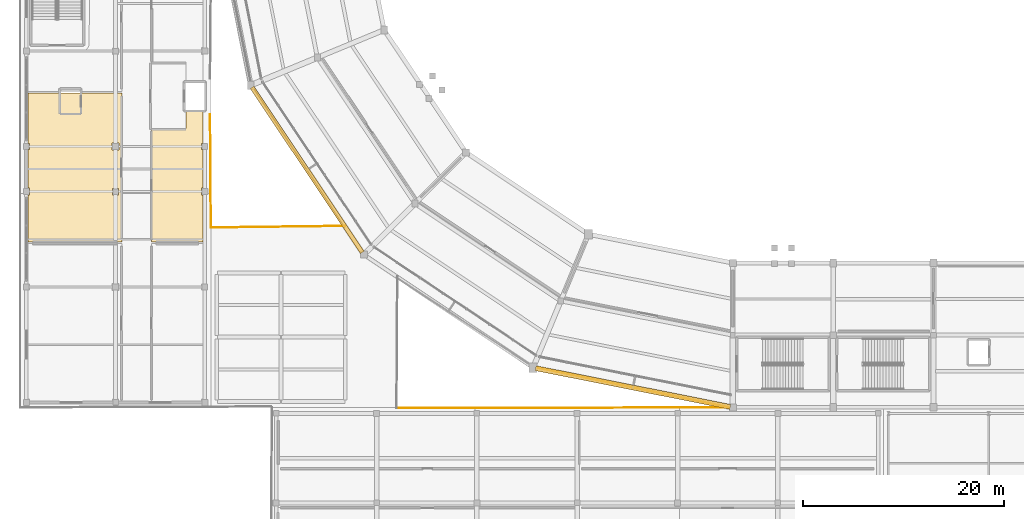
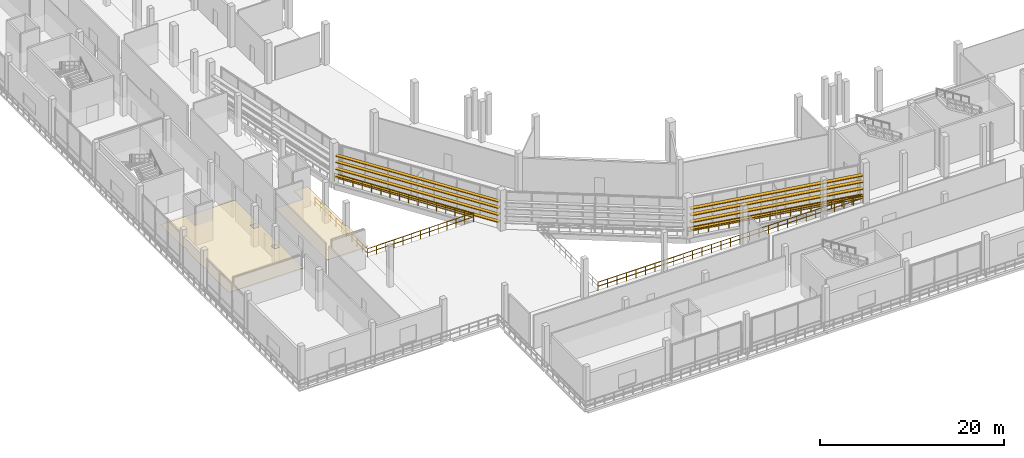
# One storey, part 89 of 111: 8 shading devices, 5 railings, 2 coverings.
"""IFC4 building model written with IfcOpenShell, lengths in metres."""

from ifc_helpers import new_model, si_unit, direction, frame, origin, origin_2d, place, context, subcontext, project, spatial, polyline, rectangle, circle, outline, extrude, material, layer, layer_set, type_object, element, save


model = new_model("IFC4")

# Units and contexts
model_context = context("Model", 3, precision=1e-05, world=origin(), true_north=direction((0.0, 1.0)))
body_context = subcontext(model_context, "Body", "Model", "MODEL_VIEW")
ifc_project = project(units=[si_unit("LENGTHUNIT", "METRE"), si_unit("AREAUNIT", "SQUARE_METRE"), si_unit("VOLUMEUNIT", "CUBIC_METRE"), si_unit("PLANEANGLEUNIT", "RADIAN"), si_unit("MASSUNIT", "GRAM", prefix="KILO")], contexts=[model_context])

# Site, building, storey
site_placement = place(None, origin())
site = spatial("IfcSite", under=ifc_project, at=site_placement, CompositionType="ELEMENT")
building_placement = place(site_placement, origin())
building = spatial("IfcBuilding", under=site, at=building_placement, Name="Candeia Ridge Stadium", CompositionType="ELEMENT")
storey_placement = place(building_placement, frame((0.0, 0.0, 16.199951171875)))
storey = spatial("IfcBuildingStorey", under=building, at=storey_placement, Name="L03", CompositionType="ELEMENT", Elevation=16.199951171875)

# Coverings
ifc_material_1 = material(Name="Western Red Cedar Acoustic Slat", Category="wood")
ifc_layer_1 = layer(ifc_material_1, 0.044921875, Name="Western Red Cedar Acoustic Slat", Category="wood")
ifc_layer_set_1 = layer_set([ifc_layer_1], Name="Western Red Cedar Acoustic Slat")
covering_type = type_object("IfcCoveringType", Name="Slatted Cedar Acoustic Ceiling 45", PredefinedType="CEILING", material=ifc_layer_set_1)
covering_1_placement = place(storey_placement, frame((0.0, 0.0, 2.510009765625)))
element("IfcCovering", 1, at=covering_1_placement, inside=storey, type_object=covering_type, Name="Acoustic ceiling Executive Skybox Suite W02", PredefinedType="CEILING", context=body_context, shape_type="SweptSolid", body=[
    extrude(outline(polyline([(0.794189453125, 35.470703125), (0.791259765625, 35.47119140625), (0.78857421875, 35.472412109375), (0.785888671875, 35.473388671875), (0.783203125, 35.47509765625), (0.781005859375, 35.476806640625), (0.77880859375, 35.478759765625), (0.77685546875, 35.48095703125), (0.775146484375, 35.4833984375), (0.7734375, 35.48583984375), (0.772216796875, 35.488525390625), (0.771240234375, 35.4912109375), (0.7705078125, 35.494140625), (0.77001953125, 35.4970703125), (0.77001953125, 35.5), (0.77001953125, 40.159912109375), (0.93994140625, 40.159912109375), (0.93994140625, 40.840087890625), (0.77001953125, 40.840087890625), (0.77001953125, 44.68505859375), (0.9150390625, 44.68505859375), (0.9150390625, 45.31494140625), (0.77001953125, 45.31494140625), (0.77001953125, 50.300048828125), (0.77001953125, 50.302978515625), (0.7705078125, 50.305908203125), (0.771240234375, 50.30859375), (0.772216796875, 50.3115234375), (0.7734375, 50.314208984375), (0.775146484375, 50.316650390625), (0.77685546875, 50.319091796875), (0.77880859375, 50.3212890625), (0.781005859375, 50.3232421875), (0.783203125, 50.324951171875), (0.785888671875, 50.326416015625), (0.78857421875, 50.32763671875), (0.791259765625, 50.32861328125), (0.794189453125, 50.329345703125), (0.797119140625, 50.329833984375), (0.800048828125, 50.330078125), (10.10009765625, 50.330078125), (10.102783203125, 50.329833984375), (10.10595703125, 50.329345703125), (10.108642578125, 50.32861328125), (10.111572265625, 50.32763671875), (10.114013671875, 50.326416015625), (10.11669921875, 50.324951171875), (10.118896484375, 50.3232421875), (10.12109375, 50.3212890625), (10.123291015625, 50.319091796875), (10.125, 50.316650390625), (10.12646484375, 50.314208984375), (10.127685546875, 50.3115234375), (10.128662109375, 50.30859375), (10.12939453125, 50.305908203125), (10.1298828125, 50.302978515625), (10.1298828125, 50.300048828125), (10.1298828125, 35.5), (10.1298828125, 35.4970703125), (10.12939453125, 35.494140625), (10.128662109375, 35.4912109375), (10.127685546875, 35.488525390625), (10.12646484375, 35.48583984375), (10.125, 35.4833984375), (10.123291015625, 35.48095703125), (10.12109375, 35.478759765625), (10.118896484375, 35.476806640625), (10.11669921875, 35.47509765625), (10.114013671875, 35.473388671875), (10.111572265625, 35.472412109375), (10.108642578125, 35.47119140625), (10.10595703125, 35.470703125), (10.102783203125, 35.47021484375), (10.10009765625, 35.469970703125), (0.800048828125, 35.469970703125), (0.797119140625, 35.47021484375), (0.794189453125, 35.470703125)]), holes=[polyline([(9.18505859375, 40.18505859375), (9.81494140625, 40.18505859375), (9.81494140625, 40.81494140625), (9.18505859375, 40.81494140625), (9.18505859375, 40.18505859375)]), polyline([(9.159912109375, 45.340087890625), (9.159912109375, 44.659912109375), (9.840087890625, 44.659912109375), (9.840087890625, 45.340087890625), (9.159912109375, 45.340087890625)])]), origin(), (0.0, 0.0, 1.0), 0.0400390625),
])
covering_2_placement = place(storey_placement, frame((0.0, 0.0, 2.510009765625)))
element("IfcCovering", 2, at=covering_2_placement, inside=storey, type_object=covering_type, Name="Acoustic ceiling Executive Skybox Suite W02 Pitchside Suite", PredefinedType="CEILING", context=body_context, shape_type="SweptSolid", body=[
    extrude(outline(polyline([(18.2294921875, 35.494140625), (18.228759765625, 35.4912109375), (18.227783203125, 35.488525390625), (18.2265625, 35.48583984375), (18.224853515625, 35.4833984375), (18.22314453125, 35.48095703125), (18.22119140625, 35.478759765625), (18.218994140625, 35.476806640625), (18.216796875, 35.47509765625), (18.214111328125, 35.473388671875), (18.21142578125, 35.472412109375), (18.208740234375, 35.47119140625), (18.205810546875, 35.470703125), (18.202880859375, 35.47021484375), (18.199951171875, 35.469970703125), (13.10009765625, 35.469970703125), (13.09716796875, 35.47021484375), (13.093994140625, 35.470703125), (13.09130859375, 35.47119140625), (13.08837890625, 35.472412109375), (13.0859375, 35.473388671875), (13.083251953125, 35.47509765625), (13.0810546875, 35.476806640625), (13.078857421875, 35.478759765625), (13.076904296875, 35.48095703125), (13.0751953125, 35.4833984375), (13.073486328125, 35.48583984375), (13.072265625, 35.488525390625), (13.0712890625, 35.4912109375), (13.070556640625, 35.494140625), (13.070068359375, 35.4970703125), (13.070068359375, 35.5), (13.070068359375, 46.760009765625), (13.070068359375, 46.762939453125), (13.070556640625, 46.765869140625), (13.0712890625, 46.768798828125), (13.072265625, 46.771484375), (13.073486328125, 46.774169921875), (13.0751953125, 46.776611328125), (13.076904296875, 46.779052734375), (13.078857421875, 46.78125), (13.0810546875, 46.783203125), (13.083251953125, 46.784912109375), (13.0859375, 46.78662109375), (13.08837890625, 46.78759765625), (13.09130859375, 46.788818359375), (13.093994140625, 46.789306640625), (13.09716796875, 46.789794921875), (13.10009765625, 46.7900390625), (16.499267578125, 46.7900390625), (16.500732421875, 46.7900390625), (16.502197265625, 46.790283203125), (16.503173828125, 46.79052734375), (16.50390625, 46.790771484375), (16.504638671875, 46.791259765625), (16.50537109375, 46.79150390625), (16.50634765625, 46.792236328125), (16.507080078125, 46.79296875), (16.5078125, 46.793701171875), (16.50830078125, 46.794677734375), (16.5087890625, 46.79541015625), (16.50927734375, 46.796142578125), (16.509521484375, 46.796875), (16.509765625, 46.7978515625), (16.510009765625, 46.79931640625), (16.510009765625, 46.80078125), (16.510009765625, 48.610107421875), (16.510009765625, 48.61279296875), (16.510498046875, 48.615966796875), (16.51123046875, 48.61865234375), (16.51220703125, 48.62158203125), (16.513427734375, 48.6240234375), (16.51513671875, 48.626708984375), (16.516845703125, 48.62890625), (16.518798828125, 48.631103515625), (16.52099609375, 48.63330078125), (16.523193359375, 48.635009765625), (16.52587890625, 48.636474609375), (16.528564453125, 48.6376953125), (16.53125, 48.638671875), (16.5341796875, 48.639404296875), (16.537109375, 48.639892578125), (16.5400390625, 48.639892578125), (18.199951171875, 48.639892578125), (18.202880859375, 48.639892578125), (18.205810546875, 48.639404296875), (18.208740234375, 48.638671875), (18.21142578125, 48.6376953125), (18.214111328125, 48.636474609375), (18.216796875, 48.635009765625), (18.218994140625, 48.63330078125), (18.22119140625, 48.631103515625), (18.22314453125, 48.62890625), (18.224853515625, 48.626708984375), (18.2265625, 48.6240234375), (18.227783203125, 48.62158203125), (18.228759765625, 48.61865234375), (18.2294921875, 48.615966796875), (18.22998046875, 48.61279296875), (18.22998046875, 48.610107421875), (18.22998046875, 45.31494140625), (18.0849609375, 45.31494140625), (18.0849609375, 44.68505859375), (18.22998046875, 44.68505859375), (18.22998046875, 40.840087890625), (18.06005859375, 40.840087890625), (18.06005859375, 40.159912109375), (18.22998046875, 40.159912109375), (18.22998046875, 35.5), (18.22998046875, 35.4970703125), (18.2294921875, 35.494140625)])), origin(), (0.0, 0.0, 1.0), 0.0400390625),
])

# Railings
ifc_material_2 = material(Name="Galvanized Powder-Coated Steel", Category="steel")
ifc_layer_2 = layer(ifc_material_2, 0.074951171875, Name="Galvanized Powder-Coated Steel", Category="steel")
ifc_layer_set_2 = layer_set([ifc_layer_2], Name="Galvanized Powder-Coated Steel")
railing_type = type_object("IfcRailingType", Name="Spectator Bowl Front Guardrail 1120", PredefinedType="GUARDRAIL", material=ifc_layer_set_2)
railing_1_placement = place(storey_placement, frame((37.5, 18.919921875, 0.0)))
element("IfcRailing", 3, at=railing_1_placement, inside=storey, type_object=railing_type, Name="Deck edge safety guardrail GR-DE-L03-0171", PredefinedType="GUARDRAIL", context=body_context, shape_type="SweptSolid", body=[
    extrude(circle(Radius=0.02392578125, at=origin_2d()), frame((0.0, 0.0, 1.09619140625), z_axis=(0.999997640457, 0.002172344388, 0.0), x_axis=(-0.002172344388, 0.999997640457, 0.0)), (0.0, 0.0, 1.0), 33.26611328125),
    extrude(circle(Radius=0.02392578125, at=origin_2d()), frame((0.0, 0.0, 0.56005859375), z_axis=(0.999997640457, 0.002172344388, 0.0), x_axis=(-0.002172344388, 0.999997640457, 0.0)), (0.0, 0.0, 1.0), 33.26611328125),
    extrude(circle(Radius=0.02099609375, at=origin_2d()), origin(), (0.0, 0.0, 1.0), 1.072021484375),
    extrude(circle(Radius=0.02099609375, at=origin_2d()), frame((1.18798828125, 0.002685546875, 0.0)), (0.0, 0.0, 1.0), 1.072021484375),
    extrude(circle(Radius=0.02099609375, at=origin_2d()), frame((2.376220703125, 0.005126953125, 0.0)), (0.0, 0.0, 1.0), 1.072021484375),
    extrude(circle(Radius=0.02099609375, at=origin_2d()), frame((3.564208984375, 0.0078125, 0.0)), (0.0, 0.0, 1.0), 1.072021484375),
    extrude(circle(Radius=0.02099609375, at=origin_2d()), frame((4.752197265625, 0.01025390625, 0.0)), (0.0, 0.0, 1.0), 1.072021484375),
    extrude(circle(Radius=0.02099609375, at=origin_2d()), frame((5.9404296875, 0.012939453125, 0.0)), (0.0, 0.0, 1.0), 1.072021484375),
    extrude(circle(Radius=0.02099609375, at=origin_2d()), frame((7.12841796875, 0.015380859375, 0.0)), (0.0, 0.0, 1.0), 1.072021484375),
    extrude(circle(Radius=0.02099609375, at=origin_2d()), frame((8.31640625, 0.01806640625, 0.0)), (0.0, 0.0, 1.0), 1.072021484375),
    extrude(circle(Radius=0.02099609375, at=origin_2d()), frame((9.504638671875, 0.020751953125, 0.0)), (0.0, 0.0, 1.0), 1.072021484375),
    extrude(circle(Radius=0.02099609375, at=origin_2d()), frame((10.692626953125, 0.023193359375, 0.0)), (0.0, 0.0, 1.0), 1.072021484375),
    extrude(circle(Radius=0.02099609375, at=origin_2d()), frame((11.880859375, 0.02587890625, 0.0)), (0.0, 0.0, 1.0), 1.072021484375),
    extrude(circle(Radius=0.02099609375, at=origin_2d()), frame((13.06884765625, 0.0283203125, 0.0)), (0.0, 0.0, 1.0), 1.072021484375),
    extrude(circle(Radius=0.02099609375, at=origin_2d()), frame((14.2568359375, 0.031005859375, 0.0)), (0.0, 0.0, 1.0), 1.072021484375),
    extrude(circle(Radius=0.02099609375, at=origin_2d()), frame((15.445068359375, 0.033447265625, 0.0)), (0.0, 0.0, 1.0), 1.072021484375),
    extrude(circle(Radius=0.02099609375, at=origin_2d()), frame((16.633056640625, 0.0361328125, 0.0)), (0.0, 0.0, 1.0), 1.072021484375),
    extrude(circle(Radius=0.02099609375, at=origin_2d()), frame((17.821044921875, 0.038818359375, 0.0)), (0.0, 0.0, 1.0), 1.072021484375),
    extrude(circle(Radius=0.02099609375, at=origin_2d()), frame((19.00927734375, 0.041259765625, 0.0)), (0.0, 0.0, 1.0), 1.072021484375),
    extrude(circle(Radius=0.02099609375, at=origin_2d()), frame((20.197265625, 0.0439453125, 0.0)), (0.0, 0.0, 1.0), 1.072021484375),
    extrude(circle(Radius=0.02099609375, at=origin_2d()), frame((21.38525390625, 0.04638671875, 0.0)), (0.0, 0.0, 1.0), 1.072021484375),
    extrude(circle(Radius=0.02099609375, at=origin_2d()), frame((22.573486328125, 0.049072265625, 0.0)), (0.0, 0.0, 1.0), 1.072021484375),
    extrude(circle(Radius=0.02099609375, at=origin_2d()), frame((23.761474609375, 0.051513671875, 0.0)), (0.0, 0.0, 1.0), 1.072021484375),
    extrude(circle(Radius=0.02099609375, at=origin_2d()), frame((24.94970703125, 0.05419921875, 0.0)), (0.0, 0.0, 1.0), 1.072021484375),
    extrude(circle(Radius=0.02099609375, at=origin_2d()), frame((26.1376953125, 0.056884765625, 0.0)), (0.0, 0.0, 1.0), 1.072021484375),
    extrude(circle(Radius=0.02099609375, at=origin_2d()), frame((27.32568359375, 0.059326171875, 0.0)), (0.0, 0.0, 1.0), 1.072021484375),
    extrude(circle(Radius=0.02099609375, at=origin_2d()), frame((28.513916015625, 0.06201171875, 0.0)), (0.0, 0.0, 1.0), 1.072021484375),
    extrude(circle(Radius=0.02099609375, at=origin_2d()), frame((29.701904296875, 0.064453125, 0.0)), (0.0, 0.0, 1.0), 1.072021484375),
    extrude(circle(Radius=0.02099609375, at=origin_2d()), frame((30.889892578125, 0.067138671875, 0.0)), (0.0, 0.0, 1.0), 1.072021484375),
    extrude(circle(Radius=0.02099609375, at=origin_2d()), frame((32.078125, 0.069580078125, 0.0)), (0.0, 0.0, 1.0), 1.072021484375),
    extrude(circle(Radius=0.02099609375, at=origin_2d()), frame((33.26611328125, 0.072265625, 0.0)), (0.0, 0.0, 1.0), 1.072021484375),
])
railing_2_placement = place(storey_placement, frame((70.6767578125, 18.982666015625, 0.0)))
element("IfcRailing", 4, at=railing_2_placement, inside=storey, type_object=railing_type, Name="Deck edge safety guardrail GR-DE-L03-0172", PredefinedType="GUARDRAIL", context=body_context, shape_type="SweptSolid", body=[
    extrude(circle(Radius=0.02392578125, at=origin_2d()), frame((0.0, 0.0, 1.09619140625), z_axis=(-0.97924861021, 0.202662673924, 0.0), x_axis=(-0.202662673924, -0.97924861021, 0.0)), (0.0, 0.0, 1.0), 19.945556640625),
    extrude(circle(Radius=0.02392578125, at=origin_2d()), frame((0.0, 0.0, 0.56005859375), z_axis=(-0.97924861021, 0.202662673924, 0.0), x_axis=(-0.202662673924, -0.97924861021, 0.0)), (0.0, 0.0, 1.0), 19.945556640625),
    extrude(circle(Radius=0.02099609375, at=origin_2d()), origin(), (0.0, 0.0, 1.0), 1.072021484375),
    extrude(circle(Radius=0.02099609375, at=origin_2d()), frame((-1.14892578125, 0.23779296875, 0.0)), (0.0, 0.0, 1.0), 1.072021484375),
    extrude(circle(Radius=0.02099609375, at=origin_2d()), frame((-2.2978515625, 0.4755859375, 0.0)), (0.0, 0.0, 1.0), 1.072021484375),
    extrude(circle(Radius=0.02099609375, at=origin_2d()), frame((-3.44677734375, 0.71337890625, 0.0)), (0.0, 0.0, 1.0), 1.072021484375),
    extrude(circle(Radius=0.02099609375, at=origin_2d()), frame((-4.595703125, 0.951171875, 0.0)), (0.0, 0.0, 1.0), 1.072021484375),
    extrude(circle(Radius=0.02099609375, at=origin_2d()), frame((-5.74462890625, 1.18896484375, 0.0)), (0.0, 0.0, 1.0), 1.072021484375),
    extrude(circle(Radius=0.02099609375, at=origin_2d()), frame((-6.8935546875, 1.4267578125, 0.0)), (0.0, 0.0, 1.0), 1.072021484375),
    extrude(circle(Radius=0.02099609375, at=origin_2d()), frame((-8.04248046875, 1.66455078125, 0.0)), (0.0, 0.0, 1.0), 1.072021484375),
    extrude(circle(Radius=0.02099609375, at=origin_2d()), frame((-9.19140625, 1.90234375, 0.0)), (0.0, 0.0, 1.0), 1.072021484375),
    extrude(circle(Radius=0.02099609375, at=origin_2d()), frame((-10.34033203125, 2.139892578125, 0.0)), (0.0, 0.0, 1.0), 1.072021484375),
    extrude(circle(Radius=0.02099609375, at=origin_2d()), frame((-11.4892578125, 2.377685546875, 0.0)), (0.0, 0.0, 1.0), 1.072021484375),
    extrude(circle(Radius=0.02099609375, at=origin_2d()), frame((-12.63818359375, 2.615478515625, 0.0)), (0.0, 0.0, 1.0), 1.072021484375),
    extrude(circle(Radius=0.02099609375, at=origin_2d()), frame((-13.787109375, 2.853271484375, 0.0)), (0.0, 0.0, 1.0), 1.072021484375),
    extrude(circle(Radius=0.02099609375, at=origin_2d()), frame((-14.93603515625, 3.091064453125, 0.0)), (0.0, 0.0, 1.0), 1.072021484375),
    extrude(circle(Radius=0.02099609375, at=origin_2d()), frame((-16.0849609375, 3.328857421875, 0.0)), (0.0, 0.0, 1.0), 1.072021484375),
    extrude(circle(Radius=0.02099609375, at=origin_2d()), frame((-17.23388671875, 3.566650390625, 0.0)), (0.0, 0.0, 1.0), 1.072021484375),
    extrude(circle(Radius=0.02099609375, at=origin_2d()), frame((-18.3828125, 3.804443359375, 0.0)), (0.0, 0.0, 1.0), 1.072021484375),
    extrude(circle(Radius=0.02099609375, at=origin_2d()), frame((-19.53173828125, 4.042236328125, 0.0)), (0.0, 0.0, 1.0), 1.072021484375),
])
railing_3_placement = place(storey_placement, frame((32.313232421875, 36.95556640625, 0.0)))
element("IfcRailing", 5, at=railing_3_placement, inside=storey, type_object=railing_type, Name="Deck edge safety guardrail GR-DE-L03-0182", PredefinedType="GUARDRAIL", context=body_context, shape_type="SweptSolid", body=[
    extrude(circle(Radius=0.02392578125, at=origin_2d()), frame((0.0, 0.0, 1.09619140625), z_axis=(-0.547972672169, 0.836496234634, 0.0), x_axis=(-0.836496234634, -0.547972672169, 0.0)), (0.0, 0.0, 1.0), 16.928466796875),
    extrude(circle(Radius=0.02392578125, at=origin_2d()), frame((0.0, 0.0, 0.56005859375), z_axis=(-0.547972672169, 0.836496234634, 0.0), x_axis=(-0.836496234634, -0.547972672169, 0.0)), (0.0, 0.0, 1.0), 16.928466796875),
    extrude(circle(Radius=0.02099609375, at=origin_2d()), origin(), (0.0, 0.0, 1.0), 1.072021484375),
    extrude(circle(Radius=0.02099609375, at=origin_2d()), frame((-0.618408203125, 0.944091796875, 0.0)), (0.0, 0.0, 1.0), 1.072021484375),
    extrude(circle(Radius=0.02099609375, at=origin_2d()), frame((-1.23681640625, 1.88818359375, 0.0)), (0.0, 0.0, 1.0), 1.072021484375),
    extrude(circle(Radius=0.02099609375, at=origin_2d()), frame((-1.855224609375, 2.83203125, 0.0)), (0.0, 0.0, 1.0), 1.072021484375),
    extrude(circle(Radius=0.02099609375, at=origin_2d()), frame((-2.4736328125, 3.776123046875, 0.0)), (0.0, 0.0, 1.0), 1.072021484375),
    extrude(circle(Radius=0.02099609375, at=origin_2d()), frame((-3.092041015625, 4.72021484375, 0.0)), (0.0, 0.0, 1.0), 1.072021484375),
    extrude(circle(Radius=0.02099609375, at=origin_2d()), frame((-3.71044921875, 5.664306640625, 0.0)), (0.0, 0.0, 1.0), 1.072021484375),
    extrude(circle(Radius=0.02099609375, at=origin_2d()), frame((-4.328857421875, 6.6083984375, 0.0)), (0.0, 0.0, 1.0), 1.072021484375),
    extrude(circle(Radius=0.02099609375, at=origin_2d()), frame((-4.947509765625, 7.55224609375, 0.0)), (0.0, 0.0, 1.0), 1.072021484375),
    extrude(circle(Radius=0.02099609375, at=origin_2d()), frame((-5.56591796875, 8.496337890625, 0.0)), (0.0, 0.0, 1.0), 1.072021484375),
    extrude(circle(Radius=0.02099609375, at=origin_2d()), frame((-6.184326171875, 9.4404296875, 0.0)), (0.0, 0.0, 1.0), 1.072021484375),
    extrude(circle(Radius=0.02099609375, at=origin_2d()), frame((-6.802734375, 10.384521484375, 0.0)), (0.0, 0.0, 1.0), 1.072021484375),
    extrude(circle(Radius=0.02099609375, at=origin_2d()), frame((-7.421142578125, 11.32861328125, 0.0)), (0.0, 0.0, 1.0), 1.072021484375),
    extrude(circle(Radius=0.02099609375, at=origin_2d()), frame((-8.03955078125, 12.2724609375, 0.0)), (0.0, 0.0, 1.0), 1.072021484375),
    extrude(circle(Radius=0.02099609375, at=origin_2d()), frame((-8.657958984375, 13.216552734375, 0.0)), (0.0, 0.0, 1.0), 1.072021484375),
    extrude(circle(Radius=0.02099609375, at=origin_2d()), frame((-9.2763671875, 14.16064453125, 0.0)), (0.0, 0.0, 1.0), 1.072021484375),
])
railing_4_placement = place(storey_placement, frame((18.919921875, 48.215087890625, 0.0)))
element("IfcRailing", 6, at=railing_4_placement, inside=storey, type_object=railing_type, Name="Deck edge safety guardrail GR-DE-L03-0185", PredefinedType="GUARDRAIL", context=body_context, shape_type="SweptSolid", body=[
    extrude(circle(Radius=0.02392578125, at=origin_2d()), frame((0.0, 0.0, 1.09619140625), z_axis=(0.007089414402, -0.999974869786, 0.0), x_axis=(0.999974869786, 0.007089414402, 0.0)), (0.0, 0.0, 1.0), 11.29541015625),
    extrude(circle(Radius=0.02392578125, at=origin_2d()), frame((0.0, 0.0, 0.56005859375), z_axis=(0.007089414402, -0.999974869786, 0.0), x_axis=(0.999974869786, 0.007089414402, 0.0)), (0.0, 0.0, 1.0), 11.29541015625),
    extrude(circle(Radius=0.02099609375, at=origin_2d()), origin(), (0.0, 0.0, 1.0), 1.072021484375),
    extrude(circle(Radius=0.02099609375, at=origin_2d()), frame((0.008056640625, -1.12939453125, 0.0)), (0.0, 0.0, 1.0), 1.072021484375),
    extrude(circle(Radius=0.02099609375, at=origin_2d()), frame((0.01611328125, -2.259033203125, 0.0)), (0.0, 0.0, 1.0), 1.072021484375),
    extrude(circle(Radius=0.02099609375, at=origin_2d()), frame((0.02392578125, -3.388671875, 0.0)), (0.0, 0.0, 1.0), 1.072021484375),
    extrude(circle(Radius=0.02099609375, at=origin_2d()), frame((0.031982421875, -4.51806640625, 0.0)), (0.0, 0.0, 1.0), 1.072021484375),
    extrude(circle(Radius=0.02099609375, at=origin_2d()), frame((0.0400390625, -5.6474609375, 0.0)), (0.0, 0.0, 1.0), 1.072021484375),
    extrude(circle(Radius=0.02099609375, at=origin_2d()), frame((0.048095703125, -6.777099609375, 0.0)), (0.0, 0.0, 1.0), 1.072021484375),
    extrude(circle(Radius=0.02099609375, at=origin_2d()), frame((0.05615234375, -7.906494140625, 0.0)), (0.0, 0.0, 1.0), 1.072021484375),
    extrude(circle(Radius=0.02099609375, at=origin_2d()), frame((0.06396484375, -9.0361328125, 0.0)), (0.0, 0.0, 1.0), 1.072021484375),
    extrude(circle(Radius=0.02099609375, at=origin_2d()), frame((0.072021484375, -10.16552734375, 0.0)), (0.0, 0.0, 1.0), 1.072021484375),
    extrude(circle(Radius=0.02099609375, at=origin_2d()), frame((0.080078125, -11.295166015625, 0.0)), (0.0, 0.0, 1.0), 1.072021484375),
])
railing_5_placement = place(storey_placement, frame((19.0, 36.919921875, 0.0)))
element("IfcRailing", 7, at=railing_5_placement, inside=storey, type_object=railing_type, Name="Deck edge safety guardrail GR-DE-L03-0186", PredefinedType="GUARDRAIL", context=body_context, shape_type="SweptSolid", body=[
    extrude(circle(Radius=0.02392578125, at=origin_2d()), frame((0.0, 0.0, 1.09619140625), z_axis=(0.999928368095, 0.011969071773, 0.0), x_axis=(-0.011969071773, 0.999928368095, 0.0)), (0.0, 0.0, 1.0), 13.380859375),
    extrude(circle(Radius=0.02392578125, at=origin_2d()), frame((0.0, 0.0, 0.56005859375), z_axis=(0.999928368095, 0.011969071773, 0.0), x_axis=(-0.011969071773, 0.999928368095, 0.0)), (0.0, 0.0, 1.0), 13.380859375),
    extrude(circle(Radius=0.02099609375, at=origin_2d()), origin(), (0.0, 0.0, 1.0), 1.072021484375),
    extrude(circle(Radius=0.02099609375, at=origin_2d()), frame((1.114990234375, 0.013427734375, 0.0)), (0.0, 0.0, 1.0), 1.072021484375),
    extrude(circle(Radius=0.02099609375, at=origin_2d()), frame((2.22998046875, 0.026611328125, 0.0)), (0.0, 0.0, 1.0), 1.072021484375),
    extrude(circle(Radius=0.02099609375, at=origin_2d()), frame((3.344970703125, 0.0400390625, 0.0)), (0.0, 0.0, 1.0), 1.072021484375),
    extrude(circle(Radius=0.02099609375, at=origin_2d()), frame((4.4599609375, 0.053466796875, 0.0)), (0.0, 0.0, 1.0), 1.072021484375),
    extrude(circle(Radius=0.02099609375, at=origin_2d()), frame((5.574951171875, 0.066650390625, 0.0)), (0.0, 0.0, 1.0), 1.072021484375),
    extrude(circle(Radius=0.02099609375, at=origin_2d()), frame((6.68994140625, 0.080078125, 0.0)), (0.0, 0.0, 1.0), 1.072021484375),
    extrude(circle(Radius=0.02099609375, at=origin_2d()), frame((7.804931640625, 0.093505859375, 0.0)), (0.0, 0.0, 1.0), 1.072021484375),
    extrude(circle(Radius=0.02099609375, at=origin_2d()), frame((8.919921875, 0.106689453125, 0.0)), (0.0, 0.0, 1.0), 1.072021484375),
    extrude(circle(Radius=0.02099609375, at=origin_2d()), frame((10.034912109375, 0.1201171875, 0.0)), (0.0, 0.0, 1.0), 1.072021484375),
    extrude(circle(Radius=0.02099609375, at=origin_2d()), frame((11.14990234375, 0.133544921875, 0.0)), (0.0, 0.0, 1.0), 1.072021484375),
    extrude(circle(Radius=0.02099609375, at=origin_2d()), frame((12.264892578125, 0.146728515625, 0.0)), (0.0, 0.0, 1.0), 1.072021484375),
    extrude(circle(Radius=0.02099609375, at=origin_2d()), frame((13.3798828125, 0.16015625, 0.0)), (0.0, 0.0, 1.0), 1.072021484375),
])

# Shading devices
ifc_material_3 = material(Name="Aluminium Anodized Warm Bronze", Category="aluminium")
shading_device_type_1 = type_object("IfcShadingDeviceType", Name="Weathered Bronze Horizontal Solar Rib 440x95", PredefinedType="JALOUSIE", material=ifc_material_3)
for number, where, z_axis, x_axis, name in (
    (8, (28.59423828125, 42.66552734375, 0.87744140625), (0.0, 0.0, 1.0), (0.555570211063, -0.831469626973, 0.0), "Weathered bronze horizontal solar rib L03 bay 16-1"),
    (9, (28.59423828125, 42.66552734375, 1.802734375), (0.0, 0.0, 1.0), (0.555570211063, -0.831469626973, 0.0), "Weathered bronze horizontal solar rib L03 bay 16-2"),
    (10, (28.59423828125, 42.66552734375, 2.72802734375), (0.0, 0.0, 1.0), (0.555570211063, -0.831469626973, 0.0), "Weathered bronze horizontal solar rib L03 bay 16-3"),
    (11, (28.59423828125, 42.66552734375, 3.56884765625), (0.0, 0.0, 1.0), (0.555570211063, -0.831469626973, 0.0), "Weathered bronze horizontal solar rib L03 bay 16-4"),
):
    element("IfcShadingDevice", number, at=place(storey_placement, frame(where, z_axis=z_axis, x_axis=x_axis)), inside=storey, type_object=shading_device_type_1, Name=name, PredefinedType="JALOUSIE", context=body_context, shape_type="SweptSolid", body=[
        extrude(rectangle(XDim=19.789306640625, YDim=0.43994140625, at=origin_2d()), origin(), (0.0, 0.0, 1.0), 0.094970703125),
    ])
shading_device_type_2 = type_object("IfcShadingDeviceType", Name="Weathered Bronze Horizontal Solar Rib 500x105", PredefinedType="JALOUSIE", material=ifc_material_3)
for number, where, z_axis, x_axis, name in (
    (12, (61.05029296875, 20.979248046875, 0.87255859375), (0.0, 0.0, 1.0), (0.980785282416, -0.195090311899, 0.0), "Weathered bronze horizontal solar rib L03 bay 18-1"),
    (13, (61.05029296875, 20.979248046875, 1.7978515625), (0.0, 0.0, 1.0), (0.980785282416, -0.195090311899, 0.0), "Weathered bronze horizontal solar rib L03 bay 18-2"),
    (14, (61.05029296875, 20.979248046875, 2.722900390625), (0.0, 0.0, 1.0), (0.980785282416, -0.195090311899, 0.0), "Weathered bronze horizontal solar rib L03 bay 18-3"),
    (15, (61.05029296875, 20.979248046875, 3.56396484375), (0.0, 0.0, 1.0), (0.980785282416, -0.195090311899, 0.0), "Weathered bronze horizontal solar rib L03 bay 18-4"),
):
    element("IfcShadingDevice", number, at=place(storey_placement, frame(where, z_axis=z_axis, x_axis=x_axis)), inside=storey, type_object=shading_device_type_2, Name=name, PredefinedType="JALOUSIE", context=body_context, shape_type="SweptSolid", body=[
        extrude(rectangle(XDim=19.789306640625, YDim=0.5, at=origin_2d()), origin(), (0.0, 0.0, 1.0), 0.10498046875),
    ])

save(model, "model.ifc")
